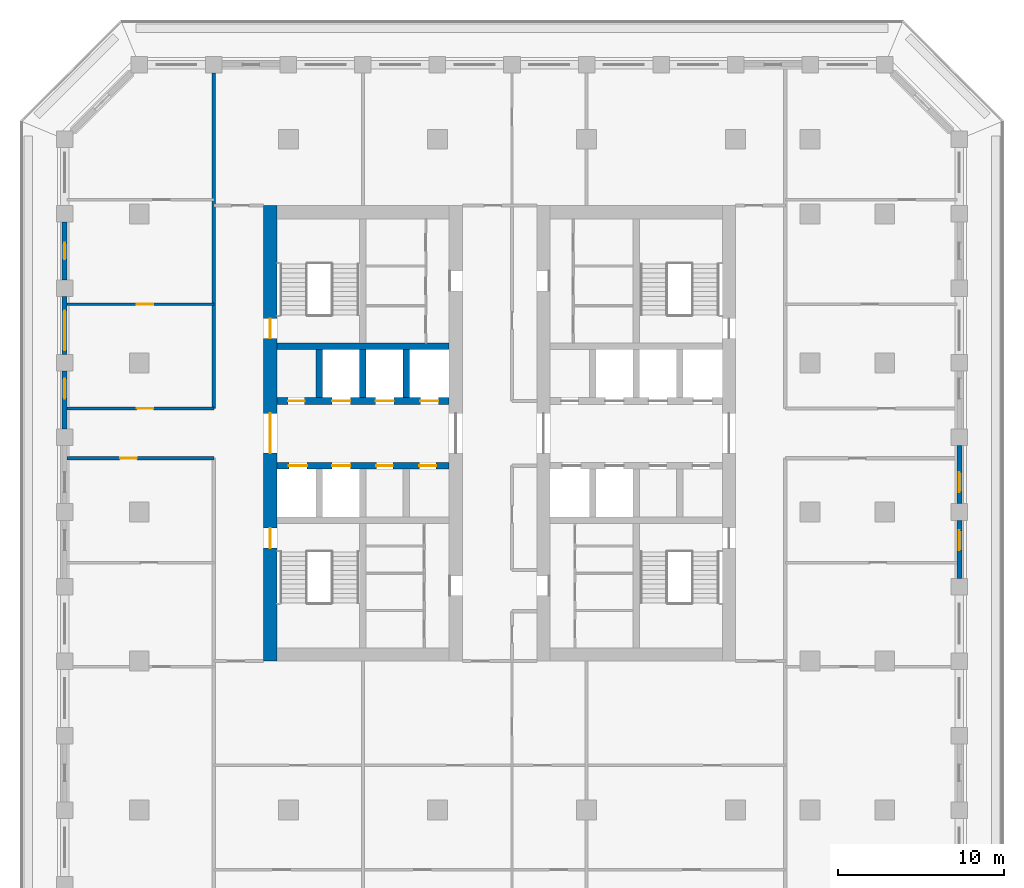
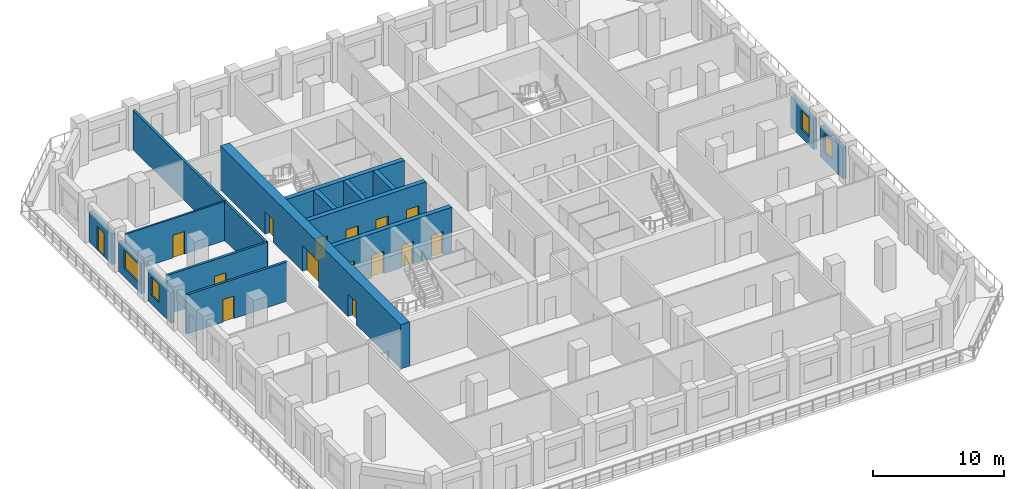
# One storey, part 5 of 16: 16 walls, 15 doors, 4 windows, 19 openings.
"""IFC4 building model written with IfcOpenShell, lengths in metres."""

from ifc_helpers import new_model, si_unit, direction, frame, frame_2d, origin, place, context, subcontext, project, spatial, rectangle, extrude, material, layer, layer_set, type_object, element, fill, save


model = new_model("IFC4")

# Units and contexts
model_context = context("Model", 3, precision=1e-05, world=origin(), true_north=direction((0.0, 1.0)))
body_context = subcontext(model_context, "Body", "Model", "MODEL_VIEW")
ifc_project = project(units=[si_unit("LENGTHUNIT", "METRE"), si_unit("AREAUNIT", "SQUARE_METRE"), si_unit("VOLUMEUNIT", "CUBIC_METRE"), si_unit("PLANEANGLEUNIT", "RADIAN"), si_unit("MASSUNIT", "GRAM", prefix="KILO")], contexts=[model_context])

# Site, building, storey
site_placement = place(None, origin())
site = spatial("IfcSite", under=ifc_project, at=site_placement, CompositionType="ELEMENT")
building_placement = place(site_placement, origin())
building = spatial("IfcBuilding", under=site, at=building_placement, Name="Corbel Stack Research Tower", CompositionType="ELEMENT")
storey_placement = place(building_placement, frame((0.0, 0.0, 212.0)))
storey = spatial("IfcBuildingStorey", under=building, at=storey_placement, Name="L48", CompositionType="ELEMENT", Elevation=212.0)

# Wall, openings, doors
ifc_material_1 = material(Name="Concrete C60/75", Category="concrete")
ifc_layer_1 = layer(ifc_material_1, 0.39990234375)
ifc_layer_set_1 = layer_set([ifc_layer_1], Name="Concrete C60/75")
wall_type_1 = type_object("IfcWallType", Name="CW-400-60", PredefinedType="SHEAR", material=ifc_layer_set_1)
wall_1_placement = place(storey_placement, frame((-9.699951171875, 2.800048828125, 0.0), z_axis=(0.0, 0.0, 1.0), x_axis=(1.0, 0.0, 0.0)))
wall_1 = element("IfcWall", 1, at=wall_1_placement, inside=storey, type_object=wall_type_1, Name="West core wall, lobby south L48", PredefinedType="SHEAR", context=body_context, shape_type="SweptSolid", body=[
    extrude(rectangle(XDim=10.39990234375, YDim=0.39990234375, at=frame_2d((5.199951171875, 0.0))), origin(), (0.0, 0.0, 1.0), 4.10009765625),
])
opening_1_placement = place(wall_1_placement, frame((0.737548828125, 0.0, 0.0)))
opening_1 = element("IfcOpeningElement", 2, at=opening_1_placement, cuts=wall_1, Name="Opening LD-FS1", PredefinedType="OPENING", context=body_context, shape_type="SweptSolid", body=[
    extrude(rectangle(XDim=1.10009765625, YDim=2.10009765625, at=frame_2d((0.550048828125, 1.050048828125))), frame((0.0, 0.2099609375, 0.0), z_axis=(0.0, -1.0, 0.0), x_axis=(1.0, 0.0, 0.0)), (0.0, 0.0, 1.0), 0.419921875),
])
opening_2_placement = place(wall_1_placement, frame((3.33740234375, 0.0, 0.0)))
opening_2 = element("IfcOpeningElement", 3, at=opening_2_placement, cuts=wall_1, Name="Opening LD-GL1", PredefinedType="OPENING", context=body_context, shape_type="SweptSolid", body=[
    extrude(rectangle(XDim=1.10009765625, YDim=2.10009765625, at=frame_2d((0.550048828125, 1.050048828125))), frame((0.0, 0.2099609375, 0.0), z_axis=(0.0, -1.0, 0.0), x_axis=(1.0, 0.0, 0.0)), (0.0, 0.0, 1.0), 0.419921875),
])
opening_3_placement = place(wall_1_placement, frame((6.012451171875, 0.0, 0.0)))
opening_3 = element("IfcOpeningElement", 4, at=opening_3_placement, cuts=wall_1, Name="Opening CR-W42-S3", PredefinedType="OPENING", context=body_context, shape_type="SweptSolid", body=[
    extrude(rectangle(XDim=1.0, YDim=2.10009765625, at=frame_2d((0.5, 1.050048828125))), frame((0.0, 0.2099609375, 0.0), z_axis=(0.0, -1.0, 0.0), x_axis=(1.0, 0.0, 0.0)), (0.0, 0.0, 1.0), 0.419921875),
])
opening_4_placement = place(wall_1_placement, frame((8.612548828125, 0.0, 0.0)))
opening_4 = element("IfcOpeningElement", 5, at=opening_4_placement, cuts=wall_1, Name="Opening CR-W42-S4", PredefinedType="OPENING", context=body_context, shape_type="SweptSolid", body=[
    extrude(rectangle(XDim=1.0, YDim=2.10009765625, at=frame_2d((0.5, 1.050048828125))), frame((0.0, 0.2099609375, 0.0), z_axis=(0.0, -1.0, 0.0), x_axis=(1.0, 0.0, 0.0)), (0.0, 0.0, 1.0), 0.419921875),
])
ifc_material_2 = material(Name="Stainless steel landing door", Category="steel")
door_type_1 = type_object("IfcDoorType", Name="Lift landing door 1100 x 2100", OperationType="DOUBLE_DOOR_SLIDING", PredefinedType="DOOR", material=ifc_material_2)
door_1_placement = place(opening_1_placement, origin())
door_1 = element("IfcDoor", 6, at=door_1_placement, inside=storey, type_object=door_type_1, Name="Landing door FS1", OperationType="DOUBLE_DOOR_SLIDING", OverallHeight=2.10009765625, OverallWidth=1.10009765625, PredefinedType="DOOR", context=body_context, shape_type="SweptSolid", body=[
    extrude(rectangle(XDim=1.10009765625, YDim=2.10009765625, at=frame_2d((0.550048828125, 1.050048828125))), frame((0.0, 0.02490234375, 0.0), z_axis=(0.0, -1.0, 0.0), x_axis=(1.0, 0.0, 0.0)), (0.0, 0.0, 1.0), 0.050048828125),
])
fill(opening_1, door_1)
door_2_placement = place(opening_2_placement, origin())
door_2 = element("IfcDoor", 7, at=door_2_placement, inside=storey, type_object=door_type_1, Name="Landing door GL1", OperationType="DOUBLE_DOOR_SLIDING", OverallHeight=2.10009765625, OverallWidth=1.10009765625, PredefinedType="DOOR", context=body_context, shape_type="SweptSolid", body=[
    extrude(rectangle(XDim=1.10009765625, YDim=2.10009765625, at=frame_2d((0.550048828125, 1.050048828125))), frame((0.0, 0.02490234375, 0.0), z_axis=(0.0, -1.0, 0.0), x_axis=(1.0, 0.0, 0.0)), (0.0, 0.0, 1.0), 0.050048828125),
])
fill(opening_2, door_2)
ifc_material_3 = material(Name="Painted steel door", Category="steel")
door_type_2 = type_object("IfcDoorType", Name="Service door 1000 x 2100 FD60 left hand", OperationType="SINGLE_SWING_LEFT", PredefinedType="DOOR", material=ifc_material_3)
door_3_placement = place(opening_3_placement, origin())
door_3 = element("IfcDoor", 8, at=door_3_placement, inside=storey, type_object=door_type_2, Name="Electrical room door W core", OperationType="SINGLE_SWING_LEFT", OverallHeight=2.10009765625, OverallWidth=1.0, PredefinedType="DOOR", context=body_context, shape_type="SweptSolid", body=[
    extrude(rectangle(XDim=1.0, YDim=2.10009765625, at=frame_2d((0.5, 1.050048828125))), frame((0.0, 0.02490234375, 0.0), z_axis=(0.0, -1.0, 0.0), x_axis=(1.0, 0.0, 0.0)), (0.0, 0.0, 1.0), 0.050048828125),
])
fill(opening_3, door_3)
ifc_material_4 = material(Name="Painted steel door", Category="steel")
door_type_3 = type_object("IfcDoorType", Name="Service door 1000 x 2100 FD60 right hand", OperationType="SINGLE_SWING_RIGHT", PredefinedType="DOOR", material=ifc_material_4)
door_4_placement = place(opening_4_placement, origin())
door_4 = element("IfcDoor", 9, at=door_4_placement, inside=storey, type_object=door_type_3, Name="Pantry door W core", OperationType="SINGLE_SWING_RIGHT", OverallHeight=2.10009765625, OverallWidth=1.0, PredefinedType="DOOR", context=body_context, shape_type="SweptSolid", body=[
    extrude(rectangle(XDim=1.0, YDim=2.10009765625, at=frame_2d((0.5, 1.050048828125))), frame((0.0, 0.02490234375, 0.0), z_axis=(0.0, -1.0, 0.0), x_axis=(1.0, 0.0, 0.0)), (0.0, 0.0, 1.0), 0.050048828125),
])
fill(opening_4, door_4)

wall_2_placement = place(storey_placement, frame((-9.699951171875, 6.699951171875, 0.0), z_axis=(0.0, 0.0, 1.0), x_axis=(1.0, 0.0, 0.0)))
wall_2 = element("IfcWall", 10, at=wall_2_placement, inside=storey, type_object=wall_type_1, Name="West core wall, lobby north L48", PredefinedType="SHEAR", context=body_context, shape_type="SweptSolid", body=[
    extrude(rectangle(XDim=10.39990234375, YDim=0.39990234375, at=frame_2d((5.199951171875, 0.0))), origin(), (0.0, 0.0, 1.0), 4.10009765625),
])
opening_5_placement = place(wall_2_placement, frame((3.33740234375, 0.0, 0.0)))
opening_5 = element("IfcOpeningElement", 11, at=opening_5_placement, cuts=wall_2, Name="Opening LD-HR1", PredefinedType="OPENING", context=body_context, shape_type="SweptSolid", body=[
    extrude(rectangle(XDim=1.10009765625, YDim=2.10009765625, at=frame_2d((0.550048828125, 1.050048828125))), frame((0.0, 0.2099609375, 0.0), z_axis=(0.0, -1.0, 0.0), x_axis=(1.0, 0.0, 0.0)), (0.0, 0.0, 1.0), 0.419921875),
])
opening_6_placement = place(wall_2_placement, frame((5.96240234375, 0.0, 0.0)))
opening_6 = element("IfcOpeningElement", 12, at=opening_6_placement, cuts=wall_2, Name="Opening LD-HR2", PredefinedType="OPENING", context=body_context, shape_type="SweptSolid", body=[
    extrude(rectangle(XDim=1.10009765625, YDim=2.10009765625, at=frame_2d((0.550048828125, 1.050048828125))), frame((0.0, 0.2099609375, 0.0), z_axis=(0.0, -1.0, 0.0), x_axis=(1.0, 0.0, 0.0)), (0.0, 0.0, 1.0), 0.419921875),
])
opening_7_placement = place(wall_2_placement, frame((8.66259765625, 0.0, 0.0)))
opening_7 = element("IfcOpeningElement", 13, at=opening_7_placement, cuts=wall_2, Name="Opening LD-HR3", PredefinedType="OPENING", context=body_context, shape_type="SweptSolid", body=[
    extrude(rectangle(XDim=1.10009765625, YDim=2.10009765625, at=frame_2d((0.550048828125, 1.050048828125))), frame((0.0, 0.2099609375, 0.0), z_axis=(0.0, -1.0, 0.0), x_axis=(1.0, 0.0, 0.0)), (0.0, 0.0, 1.0), 0.419921875),
])
opening_8_placement = place(wall_2_placement, frame((0.6875, 0.0, 0.0)))
opening_8 = element("IfcOpeningElement", 14, at=opening_8_placement, cuts=wall_2, Name="Opening CR-W42-N1", PredefinedType="OPENING", context=body_context, shape_type="SweptSolid", body=[
    extrude(rectangle(XDim=1.0, YDim=2.10009765625, at=frame_2d((0.5, 1.050048828125))), frame((0.0, 0.2099609375, 0.0), z_axis=(0.0, -1.0, 0.0), x_axis=(1.0, 0.0, 0.0)), (0.0, 0.0, 1.0), 0.419921875),
])
door_5_placement = place(opening_5_placement, origin())
door_5 = element("IfcDoor", 15, at=door_5_placement, inside=storey, type_object=door_type_1, Name="Landing door HR1", OperationType="DOUBLE_DOOR_SLIDING", OverallHeight=2.10009765625, OverallWidth=1.10009765625, PredefinedType="DOOR", context=body_context, shape_type="SweptSolid", body=[
    extrude(rectangle(XDim=1.10009765625, YDim=2.10009765625, at=frame_2d((0.550048828125, 1.050048828125))), frame((0.0, 0.02490234375, 0.0), z_axis=(0.0, -1.0, 0.0), x_axis=(1.0, 0.0, 0.0)), (0.0, 0.0, 1.0), 0.050048828125),
])
fill(opening_5, door_5)
door_6_placement = place(opening_6_placement, origin())
door_6 = element("IfcDoor", 16, at=door_6_placement, inside=storey, type_object=door_type_1, Name="Landing door HR2", OperationType="DOUBLE_DOOR_SLIDING", OverallHeight=2.10009765625, OverallWidth=1.10009765625, PredefinedType="DOOR", context=body_context, shape_type="SweptSolid", body=[
    extrude(rectangle(XDim=1.10009765625, YDim=2.10009765625, at=frame_2d((0.550048828125, 1.050048828125))), frame((0.0, 0.02490234375, 0.0), z_axis=(0.0, -1.0, 0.0), x_axis=(1.0, 0.0, 0.0)), (0.0, 0.0, 1.0), 0.050048828125),
])
fill(opening_6, door_6)
door_7_placement = place(opening_7_placement, origin())
door_7 = element("IfcDoor", 17, at=door_7_placement, inside=storey, type_object=door_type_1, Name="Landing door HR3", OperationType="DOUBLE_DOOR_SLIDING", OverallHeight=2.10009765625, OverallWidth=1.10009765625, PredefinedType="DOOR", context=body_context, shape_type="SweptSolid", body=[
    extrude(rectangle(XDim=1.10009765625, YDim=2.10009765625, at=frame_2d((0.550048828125, 1.050048828125))), frame((0.0, 0.02490234375, 0.0), z_axis=(0.0, -1.0, 0.0), x_axis=(1.0, 0.0, 0.0)), (0.0, 0.0, 1.0), 0.050048828125),
])
fill(opening_7, door_7)
door_8_placement = place(opening_8_placement, origin())
door_8 = element("IfcDoor", 18, at=door_8_placement, inside=storey, type_object=door_type_2, Name="Staff WC door W core", OperationType="SINGLE_SWING_LEFT", OverallHeight=2.10009765625, OverallWidth=1.0, PredefinedType="DOOR", context=body_context, shape_type="SweptSolid", body=[
    extrude(rectangle(XDim=1.0, YDim=2.10009765625, at=frame_2d((0.5, 1.050048828125))), frame((0.0, 0.02490234375, 0.0), z_axis=(0.0, -1.0, 0.0), x_axis=(1.0, 0.0, 0.0)), (0.0, 0.0, 1.0), 0.050048828125),
])
fill(opening_8, door_8)

# Walls
wall_3_placement = place(storey_placement, frame((-9.699951171875, 10.0, 0.0), z_axis=(0.0, 0.0, 1.0), x_axis=(1.0, 0.0, 0.0)))
element("IfcWall", 19, at=wall_3_placement, inside=storey, type_object=wall_type_1, Name="West core wall, north row back L48", PredefinedType="SHEAR", context=body_context, shape_type="SweptSolid", body=[
    extrude(rectangle(XDim=10.39990234375, YDim=0.39990234375, at=frame_2d((5.199951171875, 0.0))), origin(), (0.0, 0.0, 1.0), 4.10009765625),
])
for number, where, z_axis, x_axis, name in (
    (20, (-7.125, 6.89990234375, 0.0), (0.0, 0.0, 1.0), (0.0, 1.0, 0.0), "West core wall, north shaft 1 L48"),
    (21, (-4.5, 6.89990234375, 0.0), (0.0, 0.0, 1.0), (0.0, 1.0, 0.0), "West core wall, north shaft 2 L48"),
    (22, (-1.875, 6.89990234375, 0.0), (0.0, 0.0, 1.0), (0.0, 1.0, 0.0), "West core wall, north shaft 3 L48"),
):
    element("IfcWall", number, at=place(storey_placement, frame(where, z_axis=z_axis, x_axis=x_axis)), inside=storey, type_object=wall_type_1, Name=name, PredefinedType="SHEAR", context=body_context, shape_type="SweptSolid", body=[
        extrude(rectangle(XDim=2.900146484375, YDim=0.39990234375, at=frame_2d((1.4501953125, 0.0))), origin(), (0.0, 0.0, 1.0), 4.10009765625),
    ])

# Wall, openings, doors
ifc_material_5 = material(Name="Concrete C60/75", Category="concrete")
ifc_layer_2 = layer(ifc_material_5, 0.800048828125)
ifc_layer_set_2 = layer_set([ifc_layer_2], Name="Concrete C60/75")
wall_type_2 = type_object("IfcWallType", Name="CW-800-60", PredefinedType="SHEAR", material=ifc_layer_set_2)
wall_4_placement = place(storey_placement, frame((-10.10009765625, -9.0, 0.0), z_axis=(0.0, 0.0, 1.0), x_axis=(0.0, 1.0, 0.0)))
wall_4 = element("IfcWall", 23, at=wall_4_placement, inside=storey, type_object=wall_type_2, Name="West core wall, west face L48", PredefinedType="SHEAR", context=body_context, shape_type="SweptSolid", body=[
    extrude(rectangle(XDim=27.5, YDim=0.800048828125, at=frame_2d((13.75, 0.0))), origin(), (0.0, 0.0, 1.0), 4.10009765625),
])
opening_9_placement = place(wall_4_placement, frame((12.550048828125, 0.0, 0.0)))
opening_9 = element("IfcOpeningElement", 24, at=opening_9_placement, cuts=wall_4, Name="Opening CD-W-W", PredefinedType="OPENING", context=body_context, shape_type="SweptSolid", body=[
    extrude(rectangle(XDim=2.39990234375, YDim=2.39990234375, at=frame_2d((1.199951171875, 1.199951171875))), frame((0.0, 0.409912109375, 0.0), z_axis=(0.0, -1.0, 0.0), x_axis=(1.0, 0.0, 0.0)), (0.0, 0.0, 1.0), 0.820068359375),
])
opening_10_placement = place(wall_4_placement, frame((6.824951171875, 0.0, 0.0)))
opening_10 = element("IfcOpeningElement", 25, at=opening_10_placement, cuts=wall_4, Name="Opening SD-ST-W1", PredefinedType="OPENING", context=body_context, shape_type="SweptSolid", body=[
    extrude(rectangle(XDim=1.199951171875, YDim=2.10009765625, at=frame_2d((0.60009765625, 1.050048828125))), frame((0.0, 0.409912109375, 0.0), z_axis=(0.0, -1.0, 0.0), x_axis=(1.0, 0.0, 0.0)), (0.0, 0.0, 1.0), 0.820068359375),
])
opening_11_placement = place(wall_4_placement, frame((19.47509765625, 0.0, 0.0)))
opening_11 = element("IfcOpeningElement", 26, at=opening_11_placement, cuts=wall_4, Name="Opening SD-ST-W2", PredefinedType="OPENING", context=body_context, shape_type="SweptSolid", body=[
    extrude(rectangle(XDim=1.199951171875, YDim=2.10009765625, at=frame_2d((0.60009765625, 1.050048828125))), frame((0.0, 0.409912109375, 0.0), z_axis=(0.0, -1.0, 0.0), x_axis=(1.0, 0.0, 0.0)), (0.0, 0.0, 1.0), 0.820068359375),
])
ifc_material_6 = material(Name="Painted steel fire door", Category="steel")
door_type_4 = type_object("IfcDoorType", Name="Lobby door pair 2400 x 2400 FD30S", OperationType="DOUBLE_DOOR_DOUBLE_SWING", PredefinedType="DOOR", material=ifc_material_6)
door_9_placement = place(opening_9_placement, origin())
door_9 = element("IfcDoor", 27, at=door_9_placement, inside=storey, type_object=door_type_4, Name="Lift lobby door W core W", OperationType="DOUBLE_DOOR_DOUBLE_SWING", OverallHeight=2.39990234375, OverallWidth=2.39990234375, PredefinedType="DOOR", context=body_context, shape_type="SweptSolid", body=[
    extrude(rectangle(XDim=2.39990234375, YDim=2.39990234375, at=frame_2d((1.199951171875, 1.199951171875))), frame((0.0, 0.02490234375, 0.0), z_axis=(0.0, -1.0, 0.0), x_axis=(1.0, 0.0, 0.0)), (0.0, 0.0, 1.0), 0.050048828125),
])
fill(opening_9, door_9)
ifc_material_7 = material(Name="Painted steel fire door", Category="steel")
door_type_5 = type_object("IfcDoorType", Name="Stair door 1200 x 2100 FD90 left hand", OperationType="SINGLE_SWING_LEFT", PredefinedType="DOOR", material=ifc_material_7)
door_10_placement = place(opening_10_placement, origin())
door_10 = element("IfcDoor", 28, at=door_10_placement, inside=storey, type_object=door_type_5, Name="Stair door ST-W1", OperationType="SINGLE_SWING_LEFT", OverallHeight=2.10009765625, OverallWidth=1.199951171875, PredefinedType="DOOR", context=body_context, shape_type="SweptSolid", body=[
    extrude(rectangle(XDim=1.199951171875, YDim=2.10009765625, at=frame_2d((0.60009765625, 1.050048828125))), frame((0.0, 0.02490234375, 0.0), z_axis=(0.0, -1.0, 0.0), x_axis=(1.0, 0.0, 0.0)), (0.0, 0.0, 1.0), 0.050048828125),
])
fill(opening_10, door_10)
door_11_placement = place(opening_11_placement, origin())
door_11 = element("IfcDoor", 29, at=door_11_placement, inside=storey, type_object=door_type_5, Name="Stair door ST-W2", OperationType="SINGLE_SWING_LEFT", OverallHeight=2.10009765625, OverallWidth=1.199951171875, PredefinedType="DOOR", context=body_context, shape_type="SweptSolid", body=[
    extrude(rectangle(XDim=1.199951171875, YDim=2.10009765625, at=frame_2d((0.60009765625, 1.050048828125))), frame((0.0, 0.02490234375, 0.0), z_axis=(0.0, -1.0, 0.0), x_axis=(1.0, 0.0, 0.0)), (0.0, 0.0, 1.0), 0.050048828125),
])
fill(opening_11, door_11)

# Wall
ifc_material_8 = material(Name="Fire-rated gypsum board partition on steel studs", Category="steel")
ifc_layer_3 = layer(ifc_material_8, 0.199951171875)
ifc_layer_set_3 = layer_set([ifc_layer_3], Name="Fire-rated gypsum board partition on steel studs")
wall_type_3 = type_object("IfcWallType", Name="Fire-rated partition 200 EI 60", PredefinedType="PARTITIONING", material=ifc_layer_set_3)
wall_5_placement = place(storey_placement, frame((-13.5, 6.25, 0.0), z_axis=(0.0, 0.0, 1.0), x_axis=(0.0, 1.0, 0.0)))
element("IfcWall", 30, at=wall_5_placement, inside=storey, type_object=wall_type_3, Name="Partition L48-002", PredefinedType="PARTITIONING", context=body_context, shape_type="SweptSolid", body=[
    extrude(rectangle(XDim=20.25, YDim=0.199951171875, at=frame_2d((10.125, 0.0))), origin(), (0.0, 0.0, 1.0), 3.64990234375),
])

# Wall, opening, door
wall_6_placement = place(storey_placement, frame((-13.5, 3.25, 0.0), z_axis=(0.0, 0.0, 1.0), x_axis=(-1.0, 0.0, 0.0)))
wall_6 = element("IfcWall", 31, at=wall_6_placement, inside=storey, type_object=wall_type_3, Name="Partition L48-031", PredefinedType="PARTITIONING", context=body_context, shape_type="SweptSolid", body=[
    extrude(rectangle(XDim=8.85009765625, YDim=0.199951171875, at=frame_2d((4.425048828125, 0.0))), origin(), (0.0, 0.0, 1.0), 3.64990234375),
])
opening_12_placement = place(wall_6_placement, frame((4.64990234375, 0.0, 0.0)))
opening_12 = element("IfcOpeningElement", 32, at=opening_12_placement, cuts=wall_6, Name="Opening B6V1-016", PredefinedType="OPENING", context=body_context, shape_type="SweptSolid", body=[
    extrude(rectangle(XDim=1.0, YDim=2.10009765625, at=frame_2d((0.5, 1.050048828125))), frame((0.0, 0.10986328125, 0.0), z_axis=(0.0, -1.0, 0.0), x_axis=(1.0, 0.0, 0.0)), (0.0, 0.0, 1.0), 0.219970703125),
])
ifc_material_9 = material(Name="Painted steel fire door", Category="steel")
door_type_6 = type_object("IfcDoorType", Name="Fire door FD30S 1000 x 2100", OperationType="NOTDEFINED", PredefinedType="DOOR", material=ifc_material_9)
door_12_placement = place(opening_12_placement, origin())
door_12 = element("IfcDoor", 33, at=door_12_placement, inside=storey, type_object=door_type_6, Name="Door B6V1-016", OperationType="SINGLE_SWING_RIGHT", OverallHeight=2.10009765625, OverallWidth=1.0, PredefinedType="DOOR", context=body_context, shape_type="SweptSolid", body=[
    extrude(rectangle(XDim=1.0, YDim=2.10009765625, at=frame_2d((0.5, 1.050048828125))), frame((0.0, 0.02490234375, 0.0), z_axis=(0.0, -1.0, 0.0), x_axis=(1.0, 0.0, 0.0)), (0.0, 0.0, 1.0), 0.050048828125),
])
fill(opening_12, door_12)

wall_7_placement = place(storey_placement, frame((-22.35009765625, 6.25, 0.0), z_axis=(0.0, 0.0, 1.0), x_axis=(1.0, 0.0, 0.0)))
wall_7 = element("IfcWall", 34, at=wall_7_placement, inside=storey, type_object=wall_type_3, Name="Partition L48-033", PredefinedType="PARTITIONING", context=body_context, shape_type="SweptSolid", body=[
    extrude(rectangle(XDim=8.85009765625, YDim=0.199951171875, at=frame_2d((4.425048828125, 0.0))), origin(), (0.0, 0.0, 1.0), 3.64990234375),
])
opening_13_placement = place(wall_7_placement, frame((4.199951171875, 0.0, 0.0)))
opening_13 = element("IfcOpeningElement", 35, at=opening_13_placement, cuts=wall_7, Name="Opening B6V1-023", PredefinedType="OPENING", context=body_context, shape_type="SweptSolid", body=[
    extrude(rectangle(XDim=1.0, YDim=2.10009765625, at=frame_2d((0.5, 1.050048828125))), frame((0.0, 0.10986328125, 0.0), z_axis=(0.0, -1.0, 0.0), x_axis=(1.0, 0.0, 0.0)), (0.0, 0.0, 1.0), 0.219970703125),
])
door_13_placement = place(opening_13_placement, origin())
door_13 = element("IfcDoor", 36, at=door_13_placement, inside=storey, type_object=door_type_6, Name="Door B6V1-023", OperationType="SINGLE_SWING_RIGHT", OverallHeight=2.10009765625, OverallWidth=1.0, PredefinedType="DOOR", context=body_context, shape_type="SweptSolid", body=[
    extrude(rectangle(XDim=1.0, YDim=2.10009765625, at=frame_2d((0.5, 1.050048828125))), frame((0.0, 0.02490234375, 0.0), z_axis=(0.0, -1.0, 0.0), x_axis=(1.0, 0.0, 0.0)), (0.0, 0.0, 1.0), 0.050048828125),
])
fill(opening_13, door_13)

ifc_material_10 = material(Name="Gypsum board partition on steel studs", Category="steel")
ifc_layer_4 = layer(ifc_material_10, 0.14990234375)
ifc_layer_set_4 = layer_set([ifc_layer_4], Name="Gypsum board partition on steel studs")
wall_type_4 = type_object("IfcWallType", Name="Partition 150", PredefinedType="PARTITIONING", material=ifc_layer_set_4)
wall_8_placement = place(storey_placement, frame((-22.35009765625, 12.550048828125, 0.0), z_axis=(0.0, 0.0, 1.0), x_axis=(1.0, 0.0, 0.0)))
wall_8 = element("IfcWall", 37, at=wall_8_placement, inside=storey, type_object=wall_type_4, Name="Partition L48-036", PredefinedType="PARTITIONING", context=body_context, shape_type="SweptSolid", body=[
    extrude(rectangle(XDim=8.85009765625, YDim=0.14990234375, at=frame_2d((4.425048828125, 0.0))), origin(), (0.0, 0.0, 1.0), 3.64990234375),
])
opening_14_placement = place(wall_8_placement, frame((4.199951171875, 0.0, 0.0)))
opening_14 = element("IfcOpeningElement", 38, at=opening_14_placement, cuts=wall_8, Name="Opening B6V1-025", PredefinedType="OPENING", context=body_context, shape_type="SweptSolid", body=[
    extrude(rectangle(XDim=1.0, YDim=2.10009765625, at=frame_2d((0.5, 1.050048828125))), frame((0.0, 0.0849609375, 0.0), z_axis=(0.0, -1.0, 0.0), x_axis=(1.0, 0.0, 0.0)), (0.0, 0.0, 1.0), 0.169921875),
])
ifc_material_11 = material(Name="Painted timber door", Category="wood")
door_type_7 = type_object("IfcDoorType", Name="Single door 1000 x 2100", OperationType="NOTDEFINED", PredefinedType="DOOR", material=ifc_material_11)
door_14_placement = place(opening_14_placement, origin())
door_14 = element("IfcDoor", 39, at=door_14_placement, inside=storey, type_object=door_type_7, Name="Door B6V1-025", OperationType="SINGLE_SWING_RIGHT", OverallHeight=2.10009765625, OverallWidth=1.0, PredefinedType="DOOR", context=body_context, shape_type="SweptSolid", body=[
    extrude(rectangle(XDim=1.0, YDim=2.10009765625, at=frame_2d((0.5, 1.050048828125))), frame((0.0, 0.02490234375, 0.0), z_axis=(0.0, -1.0, 0.0), x_axis=(1.0, 0.0, 0.0)), (0.0, 0.0, 1.0), 0.050048828125),
])
fill(opening_14, door_14)

# Wall, opening, window
ifc_material_12 = material(Name="Concrete C45/55", Category="concrete")
ifc_layer_5 = layer(ifc_material_12, 0.300048828125)
ifc_layer_set_5 = layer_set([ifc_layer_5], Name="Concrete C45/55")
wall_type_5 = type_object("IfcWallType", Name="Terracotta-faced concrete wall 300", PredefinedType="SOLIDWALL", material=ifc_layer_set_5)
wall_9_placement = place(storey_placement, frame((31.5, -0.5, 0.0), z_axis=(0.0, 0.0, 1.0), x_axis=(0.0, -1.0, 0.0)))
wall_9 = element("IfcWall", 40, at=wall_9_placement, inside=storey, type_object=wall_type_5, Name="Facade wall L48 E05", PredefinedType="SOLIDWALL", context=body_context, shape_type="SweptSolid", body=[
    extrude(rectangle(XDim=3.5, YDim=0.300048828125, at=frame_2d((1.75, 0.0))), origin(), (0.0, 0.0, 1.0), 2.85009765625),
])
opening_15_placement = place(wall_9_placement, frame((0.612548828125, 0.0, 0.800048828125)))
opening_15 = element("IfcOpeningElement", 41, at=opening_15_placement, cuts=wall_9, Name="Opening W2", PredefinedType="OPENING", context=body_context, shape_type="SweptSolid", body=[
    extrude(rectangle(XDim=1.199951171875, YDim=1.699951171875, at=frame_2d((0.60009765625, 0.85009765625))), frame((0.0, 0.159912109375, 0.0), z_axis=(0.0, -1.0, 0.0), x_axis=(1.0, 0.0, 0.0)), (0.0, 0.0, 1.0), 0.320068359375),
])
ifc_material_13 = material(Name="Aluminium frame, clear double glazing", Category="aluminium")
window_type_1 = type_object("IfcWindowType", Name="Window W2 1200 x 1700", PartitioningType="SINGLE_PANEL", PredefinedType="WINDOW", material=ifc_material_13)
window_1_placement = place(opening_15_placement, origin())
window_1 = element("IfcWindow", 42, at=window_1_placement, inside=storey, type_object=window_type_1, Name="Window W2 L48 E05", OverallHeight=1.699951171875, OverallWidth=1.199951171875, PartitioningType="SINGLE_PANEL", PredefinedType="WINDOW", context=body_context, shape_type="SweptSolid", body=[
    extrude(rectangle(XDim=1.199951171875, YDim=1.699951171875, at=frame_2d((0.60009765625, 0.85009765625))), frame((0.0, 0.030029296875, 0.0), z_axis=(0.0, -1.0, 0.0), x_axis=(1.0, 0.0, 0.0)), (0.0, 0.0, 1.0), 0.06005859375),
])
fill(opening_15, window_1)

wall_10_placement = place(storey_placement, frame((31.5, 4.0, 0.0), z_axis=(0.0, 0.0, 1.0), x_axis=(0.0, -1.0, 0.0)))
wall_10 = element("IfcWall", 43, at=wall_10_placement, inside=storey, type_object=wall_type_5, Name="Facade wall L48 E06", PredefinedType="SOLIDWALL", context=body_context, shape_type="SweptSolid", body=[
    extrude(rectangle(XDim=3.5, YDim=0.300048828125, at=frame_2d((1.75, 0.0))), origin(), (0.0, 0.0, 1.0), 2.85009765625),
])
opening_16_placement = place(wall_10_placement, frame((1.60009765625, 0.0, 0.800048828125)))
opening_16 = element("IfcOpeningElement", 44, at=opening_16_placement, cuts=wall_10, Name="Opening W2", PredefinedType="OPENING", context=body_context, shape_type="SweptSolid", body=[
    extrude(rectangle(XDim=1.199951171875, YDim=1.699951171875, at=frame_2d((0.60009765625, 0.85009765625))), frame((0.0, 0.159912109375, 0.0), z_axis=(0.0, -1.0, 0.0), x_axis=(1.0, 0.0, 0.0)), (0.0, 0.0, 1.0), 0.320068359375),
])
window_2_placement = place(opening_16_placement, origin())
window_2 = element("IfcWindow", 45, at=window_2_placement, inside=storey, type_object=window_type_1, Name="Window W2 L48 E06", OverallHeight=1.699951171875, OverallWidth=1.199951171875, PartitioningType="SINGLE_PANEL", PredefinedType="WINDOW", context=body_context, shape_type="SweptSolid", body=[
    extrude(rectangle(XDim=1.199951171875, YDim=1.699951171875, at=frame_2d((0.60009765625, 0.85009765625))), frame((0.0, 0.030029296875, 0.0), z_axis=(0.0, -1.0, 0.0), x_axis=(1.0, 0.0, 0.0)), (0.0, 0.0, 1.0), 0.06005859375),
])
fill(opening_16, window_2)

# Wall, opening, door
wall_11_placement = place(storey_placement, frame((-22.5, 14.0, 0.0), z_axis=(0.0, 0.0, 1.0), x_axis=(0.0, 1.0, 0.0)))
wall_11 = element("IfcWall", 46, at=wall_11_placement, inside=storey, type_object=wall_type_5, Name="Facade wall L48 W02", PredefinedType="SOLIDWALL", context=body_context, shape_type="SweptSolid", body=[
    extrude(rectangle(XDim=3.5, YDim=0.300048828125, at=frame_2d((1.75, 0.0))), origin(), (0.0, 0.0, 1.0), 2.85009765625),
])
opening_17_placement = place(wall_11_placement, frame((1.25, 0.0, 0.0)))
opening_17 = element("IfcOpeningElement", 47, at=opening_17_placement, cuts=wall_11, Name="Opening L48-B10", PredefinedType="OPENING", context=body_context, shape_type="SweptSolid", body=[
    extrude(rectangle(XDim=1.0, YDim=2.199951171875, at=frame_2d((0.5, 1.10009765625))), frame((0.0, 0.159912109375, 0.0), z_axis=(0.0, -1.0, 0.0), x_axis=(1.0, 0.0, 0.0)), (0.0, 0.0, 1.0), 0.320068359375),
])
ifc_material_14 = material(Name="Aluminium frame, clear double glazing", Category="aluminium")
door_type_8 = type_object("IfcDoorType", Name="Balcony door BD1 1000 x 2200", OperationType="NOTDEFINED", PredefinedType="DOOR", material=ifc_material_14)
door_15_placement = place(opening_17_placement, origin())
door_15 = element("IfcDoor", 48, at=door_15_placement, inside=storey, type_object=door_type_8, Name="Balcony door L48-B10", OperationType="SINGLE_SWING_RIGHT", OverallHeight=2.199951171875, OverallWidth=1.0, PredefinedType="DOOR", context=body_context, shape_type="SweptSolid", body=[
    extrude(rectangle(XDim=1.0, YDim=2.199951171875, at=frame_2d((0.5, 1.10009765625))), frame((0.0, 0.02490234375, 0.0), z_axis=(0.0, -1.0, 0.0), x_axis=(1.0, 0.0, 0.0)), (0.0, 0.0, 1.0), 0.050048828125),
])
fill(opening_17, door_15)

# Wall, opening, window
wall_12_placement = place(storey_placement, frame((-22.5, 9.5, 0.0), z_axis=(0.0, 0.0, 1.0), x_axis=(0.0, 1.0, 0.0)))
wall_12 = element("IfcWall", 49, at=wall_12_placement, inside=storey, type_object=wall_type_5, Name="Facade wall L48 W03", PredefinedType="SOLIDWALL", context=body_context, shape_type="SweptSolid", body=[
    extrude(rectangle(XDim=3.5, YDim=0.300048828125, at=frame_2d((1.75, 0.0))), origin(), (0.0, 0.0, 1.0), 2.85009765625),
])
opening_18_placement = place(wall_12_placement, frame((0.262451171875, 0.0, 0.800048828125)))
opening_18 = element("IfcOpeningElement", 50, at=opening_18_placement, cuts=wall_12, Name="Opening W1", PredefinedType="OPENING", context=body_context, shape_type="SweptSolid", body=[
    extrude(rectangle(XDim=2.39990234375, YDim=1.699951171875, at=frame_2d((1.199951171875, 0.85009765625))), frame((0.0, 0.159912109375, 0.0), z_axis=(0.0, -1.0, 0.0), x_axis=(1.0, 0.0, 0.0)), (0.0, 0.0, 1.0), 0.320068359375),
])
ifc_material_15 = material(Name="Aluminium frame, clear double glazing", Category="aluminium")
window_type_2 = type_object("IfcWindowType", Name="Window W1 2400 x 1700", PartitioningType="SINGLE_PANEL", PredefinedType="WINDOW", material=ifc_material_15)
window_3_placement = place(opening_18_placement, origin())
window_3 = element("IfcWindow", 51, at=window_3_placement, inside=storey, type_object=window_type_2, Name="Window W1 L48 W03", OverallHeight=1.699951171875, OverallWidth=2.39990234375, PartitioningType="SINGLE_PANEL", PredefinedType="WINDOW", context=body_context, shape_type="SweptSolid", body=[
    extrude(rectangle(XDim=2.39990234375, YDim=1.699951171875, at=frame_2d((1.199951171875, 0.85009765625))), frame((0.0, 0.030029296875, 0.0), z_axis=(0.0, -1.0, 0.0), x_axis=(1.0, 0.0, 0.0)), (0.0, 0.0, 1.0), 0.06005859375),
])
fill(opening_18, window_3)

wall_13_placement = place(storey_placement, frame((-22.5, 5.0, 0.0), z_axis=(0.0, 0.0, 1.0), x_axis=(0.0, 1.0, 0.0)))
wall_13 = element("IfcWall", 52, at=wall_13_placement, inside=storey, type_object=wall_type_5, Name="Facade wall L48 W04", PredefinedType="SOLIDWALL", context=body_context, shape_type="SweptSolid", body=[
    extrude(rectangle(XDim=3.5, YDim=0.300048828125, at=frame_2d((1.75, 0.0))), origin(), (0.0, 0.0, 1.0), 2.85009765625),
])
opening_19_placement = place(wall_13_placement, frame((1.85009765625, 0.0, 0.800048828125)))
opening_19 = element("IfcOpeningElement", 53, at=opening_19_placement, cuts=wall_13, Name="Opening W2", PredefinedType="OPENING", context=body_context, shape_type="SweptSolid", body=[
    extrude(rectangle(XDim=1.199951171875, YDim=1.699951171875, at=frame_2d((0.60009765625, 0.85009765625))), frame((0.0, 0.159912109375, 0.0), z_axis=(0.0, -1.0, 0.0), x_axis=(1.0, 0.0, 0.0)), (0.0, 0.0, 1.0), 0.320068359375),
])
window_4_placement = place(opening_19_placement, origin())
window_4 = element("IfcWindow", 54, at=window_4_placement, inside=storey, type_object=window_type_1, Name="Window W2 L48 W04", OverallHeight=1.699951171875, OverallWidth=1.199951171875, PartitioningType="SINGLE_PANEL", PredefinedType="WINDOW", context=body_context, shape_type="SweptSolid", body=[
    extrude(rectangle(XDim=1.199951171875, YDim=1.699951171875, at=frame_2d((0.60009765625, 0.85009765625))), frame((0.0, 0.030029296875, 0.0), z_axis=(0.0, -1.0, 0.0), x_axis=(1.0, 0.0, 0.0)), (0.0, 0.0, 1.0), 0.06005859375),
])
fill(opening_19, window_4)

save(model, "model.ifc")
